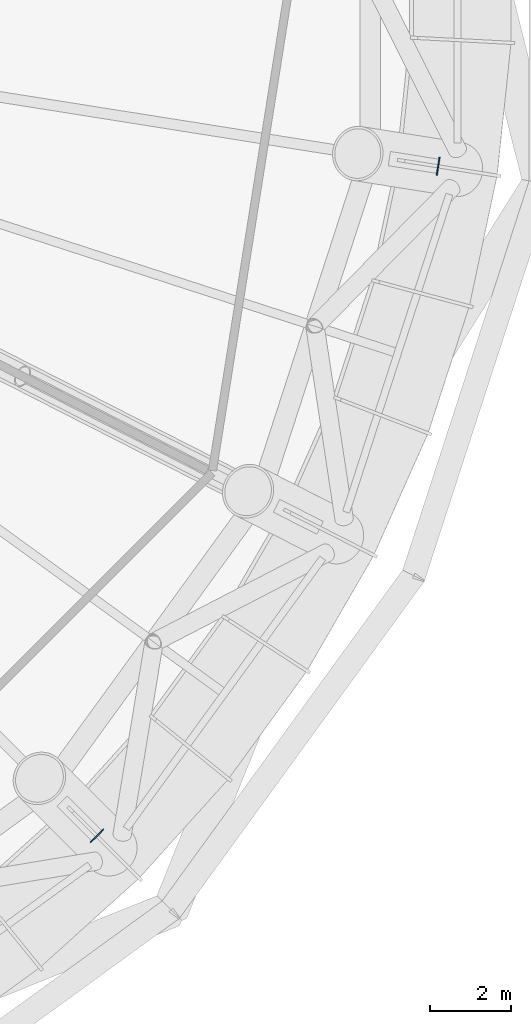
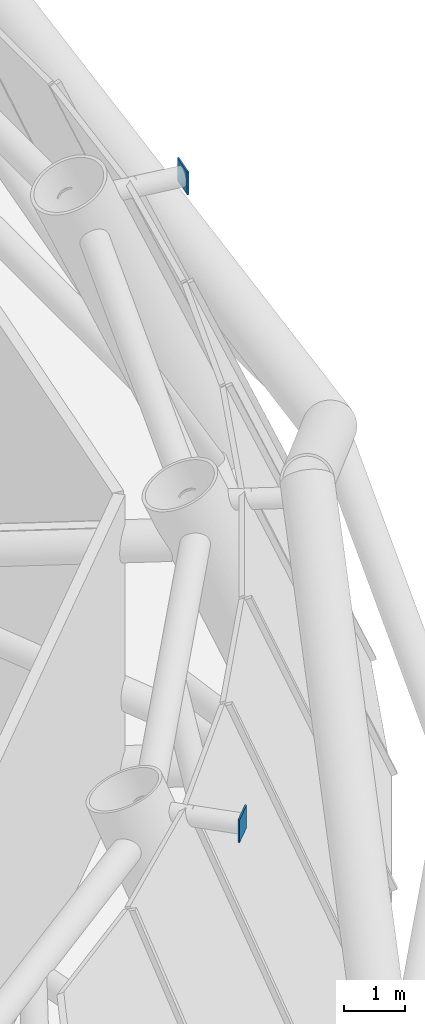
# One storey, part 14 of 18: 2 discrete accessories.
"""IFC4 building model written with IfcOpenShell, lengths in metres."""

from ifc_helpers import new_model, si_unit, direction, frame, origin, origin_2d, place, context, subcontext, project, spatial, rectangle, extrude, material, element, save


model = new_model("IFC4")

# Units and contexts
model_context = context("Model", 3, precision=1e-05, world=origin(), true_north=direction((0.0, 1.0)))
body_context = subcontext(model_context, "Body", "Model", "MODEL_VIEW")
ifc_project = project(units=[si_unit("LENGTHUNIT", "METRE"), si_unit("AREAUNIT", "SQUARE_METRE"), si_unit("VOLUMEUNIT", "CUBIC_METRE"), si_unit("PLANEANGLEUNIT", "RADIAN"), si_unit("MASSUNIT", "GRAM", prefix="KILO")], contexts=[model_context])

# Site, building, storey
site_placement = place(None, origin())
site = spatial("IfcSite", under=ifc_project, at=site_placement, CompositionType="ELEMENT")
building_placement = place(site_placement, origin())
building = spatial("IfcBuilding", under=site, at=building_placement, Name="Entoto Ring Tower", CompositionType="ELEMENT")
storey_placement = place(building_placement, frame((0.0, 0.0, 138.0)))
storey = spatial("IfcBuildingStorey", under=building, at=storey_placement, Name="L31", CompositionType="ELEMENT", Elevation=138.0)

# Discrete accessories
ifc_material = material(Name="Steel S355", Category="steel")
for number, where, z_axis, x_axis, name in (
    (1, (111.29443359375, 58.70556640625, 5.4443359375), (0.0, 0.0, 1.0), (0.707106781187, -0.707106781187, 0.0), "Node strut end plate DS1 ring 10 18"),
    (2, (119.744140625, 75.2890625, 5.4443359375), (0.0, 0.0, 1.0), (0.987688340595, -0.15643446504, 0.0), "Node strut end plate DS1 ring 10 20"),
):
    element("IfcDiscreteAccessory", number, at=place(storey_placement, frame(where, z_axis=z_axis, x_axis=x_axis)), inside=storey, material=ifc_material, Name=name, PredefinedType="BRACKET", context=body_context, shape_type="SweptSolid", body=[
        extrude(rectangle(XDim=0.030029296875, YDim=0.45556640625, at=origin_2d()), origin(), (0.0, 0.0, 1.0), 0.45556640625),
    ])

save(model, "model.ifc")
